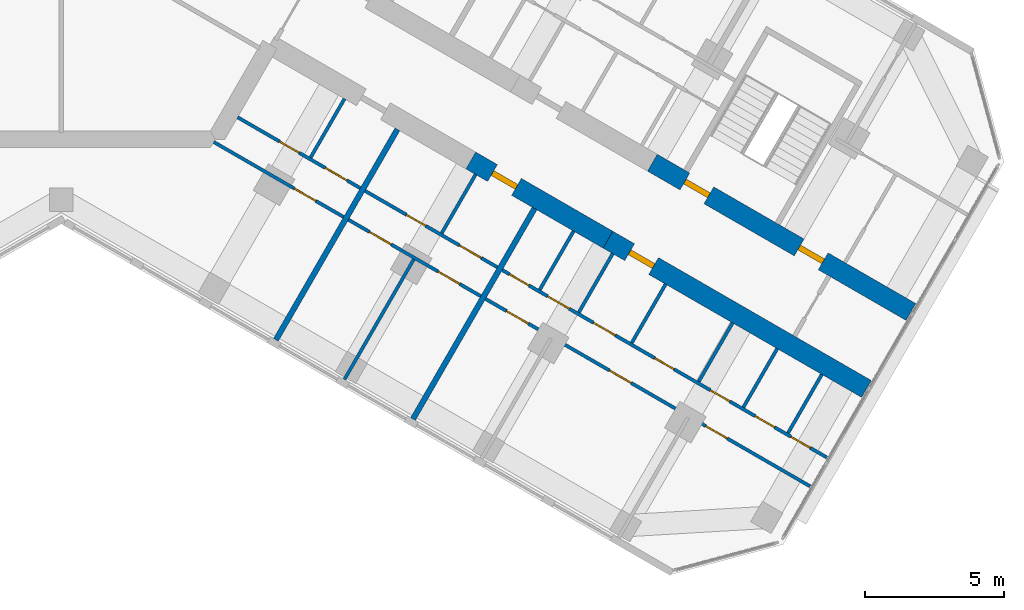
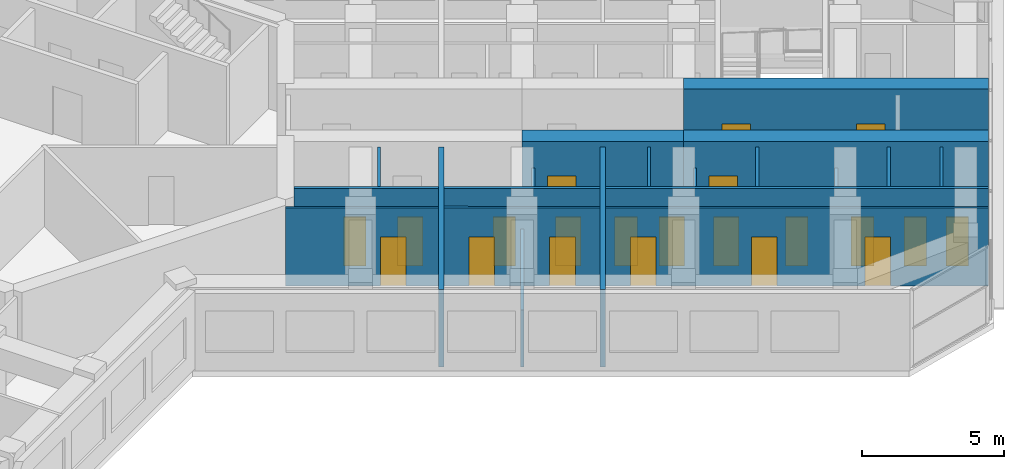
# One storey, part 11 of 16: 21 doors, 20 walls, 21 openings.
"""IFC4 building model written with IfcOpenShell, lengths in metres."""

from ifc_helpers import new_model, si_unit, direction, frame, frame_2d, origin, place, context, subcontext, project, spatial, rectangle, extrude, material, layer, layer_set, type_object, element, fill, save


model = new_model("IFC4")

# Units and contexts
model_context = context("Model", 3, precision=1e-05, world=origin(), true_north=direction((0.0, 1.0)))
body_context = subcontext(model_context, "Body", "Model", "MODEL_VIEW")
ifc_project = project(units=[si_unit("LENGTHUNIT", "METRE"), si_unit("AREAUNIT", "SQUARE_METRE"), si_unit("VOLUMEUNIT", "CUBIC_METRE"), si_unit("PLANEANGLEUNIT", "RADIAN"), si_unit("MASSUNIT", "GRAM", prefix="KILO")], contexts=[model_context])

# Site, building, storey
site_placement = place(None, origin())
site = spatial("IfcSite", under=ifc_project, at=site_placement, CompositionType="ELEMENT")
building_placement = place(site_placement, origin())
building = spatial("IfcBuilding", under=site, at=building_placement, Name="Kosmar Iwan School Tower", CompositionType="ELEMENT")
storey_placement = place(building_placement, frame((0.0, 0.0, 253.199951171875)))
storey = spatial("IfcBuildingStorey", under=building, at=storey_placement, Name="L64", CompositionType="ELEMENT", Elevation=253.199951171875)

# Wall, openings, doors
ifc_material_1 = material(Name="Concrete C50/60", Category="concrete")
ifc_layer_1 = layer(ifc_material_1, 0.699951171875)
ifc_layer_set_1 = layer_set([ifc_layer_1], Name="Corridor buttress wall 700")
wall_type_1 = type_object("IfcWallType", Name="Corridor buttress wall 700", PredefinedType="SHEAR", material=ifc_layer_set_1)
wall_1_placement = place(storey_placement, frame((21.281494140625, -10.439453125, 0.0), z_axis=(0.0, 0.0, 1.0), x_axis=(0.866032345022, -0.499987977232, 0.0)))
wall_1 = element("IfcWall", 1, at=wall_1_placement, inside=storey, type_object=wall_type_1, Name="Corridor wall CL bay 3", PredefinedType="SHEAR", context=body_context, shape_type="SweptSolid", body=[
    extrude(rectangle(XDim=10.744873046875, YDim=0.699951171875, at=frame_2d((5.37255859375, 0.0))), origin(), (0.0, 0.0, 1.0), 3.60009765625),
])
opening_1_placement = place(wall_1_placement, frame((6.10009765625, 0.0, 0.0)))
opening_1 = element("IfcOpeningElement", 2, at=opening_1_placement, cuts=wall_1, Name="Opening D1", PredefinedType="OPENING", context=body_context, shape_type="SweptSolid", body=[
    extrude(rectangle(XDim=1.0, YDim=2.10009765625, at=frame_2d((0.5, 1.050048828125))), frame((0.0, 0.362060546875, 0.0), z_axis=(0.0, -1.0, 0.0), x_axis=(1.0, 0.0, 0.0)), (0.0, 0.0, 1.0), 0.723876953125),
])
opening_2_placement = place(wall_1_placement, frame((1.35009765625, 0.0, 0.0)))
opening_2 = element("IfcOpeningElement", 3, at=opening_2_placement, cuts=wall_1, Name="Opening D6", PredefinedType="OPENING", context=body_context, shape_type="SweptSolid", body=[
    extrude(rectangle(XDim=1.0, YDim=2.10009765625, at=frame_2d((0.5, 1.050048828125))), frame((0.0, 0.362060546875, 0.0), z_axis=(0.0, -1.0, 0.0), x_axis=(1.0, 0.0, 0.0)), (0.0, 0.0, 1.0), 0.723876953125),
])
ifc_material_2 = material(Name="Timber fire door in steel frame", Category="steel")
door_type_1 = type_object("IfcDoorType", Name="Flat entrance door 1000x2100", OperationType="SINGLE_SWING_LEFT", PredefinedType="DOOR", material=ifc_material_2)
door_1_placement = place(opening_1_placement, origin())
door_1 = element("IfcDoor", 4, at=door_1_placement, inside=storey, type_object=door_type_1, Name="Flat L64-CL3 entrance door", OperationType="SINGLE_SWING_RIGHT", OverallHeight=2.10009765625, OverallWidth=1.0, PredefinedType="DOOR", context=body_context, shape_type="SweptSolid", body=[
    extrude(rectangle(XDim=1.0, YDim=2.10009765625, at=frame_2d((0.5, 1.050048828125))), frame((0.0, 0.10009765625, 0.0), z_axis=(0.0, -1.0, 0.0), x_axis=(1.0, 0.0, 0.0)), (0.0, 0.0, 1.0), 0.199951171875),
])
fill(opening_1, door_1)
ifc_material_3 = material(Name="Steel fire door", Category="steel")
door_type_2 = type_object("IfcDoorType", Name="Stair door 1000x2100", OperationType="SINGLE_SWING_LEFT", PredefinedType="DOOR", material=ifc_material_3)
door_2_placement = place(opening_2_placement, origin())
door_2 = element("IfcDoor", 5, at=door_2_placement, inside=storey, type_object=door_type_2, Name="Stair WS3 door L64", OperationType="SINGLE_SWING_LEFT", OverallHeight=2.10009765625, OverallWidth=1.0, PredefinedType="DOOR", context=body_context, shape_type="SweptSolid", body=[
    extrude(rectangle(XDim=1.0, YDim=2.10009765625, at=frame_2d((0.5, 1.050048828125))), frame((0.0, 0.10009765625, 0.0), z_axis=(0.0, -1.0, 0.0), x_axis=(1.0, 0.0, 0.0)), (0.0, 0.0, 1.0), 0.199951171875),
])
fill(opening_2, door_2)

# Wall, opening, door
wall_2_placement = place(storey_placement, frame((14.7451171875, -10.360595703125, 0.0), z_axis=(0.0, 0.0, 1.0), x_axis=(0.866015111908, -0.50001782563, 0.0)))
wall_2 = element("IfcWall", 6, at=wall_2_placement, inside=storey, type_object=wall_type_1, Name="Corridor wall CR bay 2", PredefinedType="SHEAR", context=body_context, shape_type="SweptSolid", body=[
    extrude(rectangle(XDim=5.699951171875, YDim=0.699951171875, at=frame_2d((2.85009765625, 0.0))), origin(), (0.0, 0.0, 1.0), 3.60009765625),
])
opening_3_placement = place(wall_2_placement, frame((0.89990234375, 0.0, 0.0)))
opening_3 = element("IfcOpeningElement", 7, at=opening_3_placement, cuts=wall_2, Name="Opening D1", PredefinedType="OPENING", context=body_context, shape_type="SweptSolid", body=[
    extrude(rectangle(XDim=1.0, YDim=2.10009765625, at=frame_2d((0.5, 1.050048828125))), frame((0.0, 0.362060546875, 0.0), z_axis=(0.0, -1.0, 0.0), x_axis=(1.0, 0.0, 0.0)), (0.0, 0.0, 1.0), 0.723876953125),
])
door_3_placement = place(opening_3_placement, origin())
door_3 = element("IfcDoor", 8, at=door_3_placement, inside=storey, type_object=door_type_1, Name="Flat L64-CR2 entrance door", OperationType="SINGLE_SWING_LEFT", OverallHeight=2.10009765625, OverallWidth=1.0, PredefinedType="DOOR", context=body_context, shape_type="SweptSolid", body=[
    extrude(rectangle(XDim=1.0, YDim=2.10009765625, at=frame_2d((0.5, 1.050048828125))), frame((0.0, 0.10009765625, 0.0), z_axis=(0.0, -1.0, 0.0), x_axis=(1.0, 0.0, 0.0)), (0.0, 0.0, 1.0), 0.199951171875),
])
fill(opening_3, door_3)

wall_3_placement = place(storey_placement, frame((19.681396484375, -13.210693359375, 0.0), z_axis=(0.0, 0.0, 1.0), x_axis=(0.866028186671, -0.499995179869, 0.0)))
wall_3 = element("IfcWall", 9, at=wall_3_placement, inside=storey, type_object=wall_type_1, Name="Corridor wall CR bay 3", PredefinedType="SHEAR", context=body_context, shape_type="SweptSolid", body=[
    extrude(rectangle(XDim=10.7451171875, YDim=0.699951171875, at=frame_2d((5.37255859375, 0.0))), origin(), (0.0, 0.0, 1.0), 3.60009765625),
])
opening_4_placement = place(wall_3_placement, frame((0.89990234375, 0.0, 0.0)))
opening_4 = element("IfcOpeningElement", 10, at=opening_4_placement, cuts=wall_3, Name="Opening D1", PredefinedType="OPENING", context=body_context, shape_type="SweptSolid", body=[
    extrude(rectangle(XDim=1.0, YDim=2.10009765625, at=frame_2d((0.5, 1.050048828125))), frame((0.0, 0.362060546875, 0.0), z_axis=(0.0, -1.0, 0.0), x_axis=(1.0, 0.0, 0.0)), (0.0, 0.0, 1.0), 0.723876953125),
])
door_4_placement = place(opening_4_placement, origin())
door_4 = element("IfcDoor", 11, at=door_4_placement, inside=storey, type_object=door_type_1, Name="Flat L64-CR3 entrance door", OperationType="SINGLE_SWING_LEFT", OverallHeight=2.10009765625, OverallWidth=1.0, PredefinedType="DOOR", context=body_context, shape_type="SweptSolid", body=[
    extrude(rectangle(XDim=1.0, YDim=2.10009765625, at=frame_2d((0.5, 1.050048828125))), frame((0.0, 0.10009765625, 0.0), z_axis=(0.0, -1.0, 0.0), x_axis=(1.0, 0.0, 0.0)), (0.0, 0.0, 1.0), 0.199951171875),
])
fill(opening_4, door_4)

# Wall, openings, doors
ifc_material_4 = material(Name="Gypsum board on steel studs", Category="steel")
ifc_layer_2 = layer(ifc_material_4, 0.1201171875)
ifc_layer_set_2 = layer_set([ifc_layer_2], Name="Dwelling partition 120")
wall_type_2 = type_object("IfcWallType", Name="Dwelling partition 120", PredefinedType="PARTITIONING", material=ifc_layer_set_2)
wall_4_placement = place(storey_placement, frame((6.3486328125, -8.8037109375, 0.0), z_axis=(0.0, 0.0, 1.0), x_axis=(0.86602216432, -0.500005610874, 0.0)))
wall_4 = element("IfcWall", 12, at=wall_4_placement, inside=storey, type_object=wall_type_2, Name="Partition L64-CR1-W1", PredefinedType="PARTITIONING", context=body_context, shape_type="SweptSolid", body=[
    extrude(rectangle(XDim=5.10009765625, YDim=0.1201171875, at=frame_2d((2.550048828125, 0.0))), origin(), (0.0, 0.0, 1.0), 3.35009765625),
])
opening_5_placement = place(wall_4_placement, frame((1.75, 0.0, 0.0)))
opening_5 = element("IfcOpeningElement", 13, at=opening_5_placement, cuts=wall_4, Name="Opening D3", PredefinedType="OPENING", context=body_context, shape_type="SweptSolid", body=[
    extrude(rectangle(XDim=0.800048828125, YDim=2.10009765625, at=frame_2d((0.39990234375, 1.050048828125))), frame((0.0, 0.072021484375, 0.0), z_axis=(0.0, -1.0, 0.0), x_axis=(1.0, 0.0, 0.0)), (0.0, 0.0, 1.0), 0.14404296875),
])
opening_6_placement = place(wall_4_placement, frame((3.64990234375, 0.0, 0.0)))
opening_6 = element("IfcOpeningElement", 14, at=opening_6_placement, cuts=wall_4, Name="Opening D2", PredefinedType="OPENING", context=body_context, shape_type="SweptSolid", body=[
    extrude(rectangle(XDim=0.89990234375, YDim=2.10009765625, at=frame_2d((0.449951171875, 1.050048828125))), frame((0.0, 0.072021484375, 0.0), z_axis=(0.0, -1.0, 0.0), x_axis=(1.0, 0.0, 0.0)), (0.0, 0.0, 1.0), 0.14404296875),
])
ifc_material_5 = material(Name="Timber door in timber frame", Category="wood")
door_type_3 = type_object("IfcDoorType", Name="Internal door 900x2100", OperationType="SINGLE_SWING_LEFT", PredefinedType="DOOR", material=ifc_material_5)
door_5_placement = place(opening_6_placement, origin())
door_5 = element("IfcDoor", 15, at=door_5_placement, inside=storey, type_object=door_type_3, Name="Entrance hall door L64-CR1-S2", OperationType="SINGLE_SWING_RIGHT", OverallHeight=2.10009765625, OverallWidth=0.89990234375, PredefinedType="DOOR", context=body_context, shape_type="SweptSolid", body=[
    extrude(rectangle(XDim=0.89990234375, YDim=2.10009765625, at=frame_2d((0.449951171875, 1.050048828125))), frame((0.0, 0.02490234375, 0.0), z_axis=(0.0, -1.0, 0.0), x_axis=(1.0, 0.0, 0.0)), (0.0, 0.0, 1.0), 0.050048828125),
])
fill(opening_6, door_5)
ifc_material_6 = material(Name="Timber door in timber frame", Category="wood")
door_type_4 = type_object("IfcDoorType", Name="Sanitary room door 800x2100", OperationType="SINGLE_SWING_LEFT", PredefinedType="DOOR", material=ifc_material_6)
door_6_placement = place(opening_5_placement, origin())
door_6 = element("IfcDoor", 16, at=door_6_placement, inside=storey, type_object=door_type_4, Name="Bathroom door L64-CR1-S1", OperationType="SINGLE_SWING_RIGHT", OverallHeight=2.10009765625, OverallWidth=0.800048828125, PredefinedType="DOOR", context=body_context, shape_type="SweptSolid", body=[
    extrude(rectangle(XDim=0.800048828125, YDim=2.10009765625, at=frame_2d((0.39990234375, 1.050048828125))), frame((0.0, 0.02490234375, 0.0), z_axis=(0.0, -1.0, 0.0), x_axis=(1.0, 0.0, 0.0)), (0.0, 0.0, 1.0), 0.050048828125),
])
fill(opening_5, door_6)

# Wall, opening, door
wall_5_placement = place(storey_placement, frame((5.48876953125, -9.693115234375, 0.0), z_axis=(0.0, 0.0, 1.0), x_axis=(0.866028230842, -0.499995103361, 0.0)))
wall_5 = element("IfcWall", 17, at=wall_5_placement, inside=storey, type_object=wall_type_2, Name="Partition L64-CR1-W2", PredefinedType="PARTITIONING", context=body_context, shape_type="SweptSolid", body=[
    extrude(rectangle(XDim=5.39990234375, YDim=0.1201171875, at=frame_2d((2.699951171875, 0.0))), origin(), (0.0, 0.0, 1.0), 3.35009765625),
])
opening_7_placement = place(wall_5_placement, frame((3.35009765625, 0.0, 0.0)))
opening_7 = element("IfcOpeningElement", 18, at=opening_7_placement, cuts=wall_5, Name="Opening D2", PredefinedType="OPENING", context=body_context, shape_type="SweptSolid", body=[
    extrude(rectangle(XDim=0.89990234375, YDim=2.10009765625, at=frame_2d((0.449951171875, 1.050048828125))), frame((0.0, 0.072021484375, 0.0), z_axis=(0.0, -1.0, 0.0), x_axis=(1.0, 0.0, 0.0)), (0.0, 0.0, 1.0), 0.14404296875),
])
door_7_placement = place(opening_7_placement, origin())
door_7 = element("IfcDoor", 19, at=door_7_placement, inside=storey, type_object=door_type_3, Name="Studio living room and kitchen door L64-CR1-F1", OperationType="SINGLE_SWING_RIGHT", OverallHeight=2.10009765625, OverallWidth=0.89990234375, PredefinedType="DOOR", context=body_context, shape_type="SweptSolid", body=[
    extrude(rectangle(XDim=0.89990234375, YDim=2.10009765625, at=frame_2d((0.449951171875, 1.050048828125))), frame((0.0, 0.02490234375, 0.0), z_axis=(0.0, -1.0, 0.0), x_axis=(1.0, 0.0, 0.0)), (0.0, 0.0, 1.0), 0.050048828125),
])
fill(opening_7, door_7)

# Wall
wall_6_placement = place(storey_placement, frame((10.19677734375, -8.138671875, 0.0), z_axis=(0.0, 0.0, 1.0), x_axis=(-0.499959183527, -0.866048967903, 0.0)))
element("IfcWall", 20, at=wall_6_placement, inside=storey, type_object=wall_type_2, Name="Partition L64-CR1-Y1", PredefinedType="PARTITIONING", context=body_context, shape_type="SweptSolid", body=[
    extrude(rectangle(XDim=2.440185546875, YDim=0.1201171875, at=frame_2d((1.22021484375, 0.0))), origin(), (0.0, 0.0, 1.0), 3.35009765625),
])

# Wall, openings, doors
wall_7_placement = place(storey_placement, frame((10.9384765625, -11.453857421875, 0.0), z_axis=(0.0, 0.0, 1.0), x_axis=(0.866027397988, -0.499996545922, 0.0)))
wall_7 = element("IfcWall", 21, at=wall_7_placement, inside=storey, type_object=wall_type_2, Name="Partition L64-CR2-W1", PredefinedType="PARTITIONING", context=body_context, shape_type="SweptSolid", body=[
    extrude(rectangle(XDim=5.5, YDim=0.1201171875, at=frame_2d((2.75, 0.0))), origin(), (0.0, 0.0, 1.0), 3.35009765625),
])
opening_8_placement = place(wall_7_placement, frame((1.72509765625, 0.0, 0.0)))
opening_8 = element("IfcOpeningElement", 22, at=opening_8_placement, cuts=wall_7, Name="Opening D3", PredefinedType="OPENING", context=body_context, shape_type="SweptSolid", body=[
    extrude(rectangle(XDim=0.800048828125, YDim=2.10009765625, at=frame_2d((0.39990234375, 1.050048828125))), frame((0.0, 0.072021484375, 0.0), z_axis=(0.0, -1.0, 0.0), x_axis=(1.0, 0.0, 0.0)), (0.0, 0.0, 1.0), 0.14404296875),
])
opening_9_placement = place(wall_7_placement, frame((3.925048828125, 0.0, 0.0)))
opening_9 = element("IfcOpeningElement", 23, at=opening_9_placement, cuts=wall_7, Name="Opening D2", PredefinedType="OPENING", context=body_context, shape_type="SweptSolid", body=[
    extrude(rectangle(XDim=0.89990234375, YDim=2.10009765625, at=frame_2d((0.449951171875, 1.050048828125))), frame((0.0, 0.072021484375, 0.0), z_axis=(0.0, -1.0, 0.0), x_axis=(1.0, 0.0, 0.0)), (0.0, 0.0, 1.0), 0.14404296875),
])
door_8_placement = place(opening_9_placement, origin())
door_8 = element("IfcDoor", 24, at=door_8_placement, inside=storey, type_object=door_type_3, Name="Entrance hall door L64-CR2-S2", OperationType="SINGLE_SWING_RIGHT", OverallHeight=2.10009765625, OverallWidth=0.89990234375, PredefinedType="DOOR", context=body_context, shape_type="SweptSolid", body=[
    extrude(rectangle(XDim=0.89990234375, YDim=2.10009765625, at=frame_2d((0.449951171875, 1.050048828125))), frame((0.0, 0.02490234375, 0.0), z_axis=(0.0, -1.0, 0.0), x_axis=(1.0, 0.0, 0.0)), (0.0, 0.0, 1.0), 0.050048828125),
])
fill(opening_9, door_8)
door_9_placement = place(opening_8_placement, origin())
door_9 = element("IfcDoor", 25, at=door_9_placement, inside=storey, type_object=door_type_4, Name="Bathroom door L64-CR2-S1", OperationType="SINGLE_SWING_RIGHT", OverallHeight=2.10009765625, OverallWidth=0.800048828125, PredefinedType="DOOR", context=body_context, shape_type="SweptSolid", body=[
    extrude(rectangle(XDim=0.800048828125, YDim=2.10009765625, at=frame_2d((0.39990234375, 1.050048828125))), frame((0.0, 0.02490234375, 0.0), z_axis=(0.0, -1.0, 0.0), x_axis=(1.0, 0.0, 0.0)), (0.0, 0.0, 1.0), 0.050048828125),
])
fill(opening_8, door_9)

wall_8_placement = place(storey_placement, frame((10.338623046875, -12.492919921875, 0.0), z_axis=(0.0, 0.0, 1.0), x_axis=(0.866008176907, -0.50002983664, 0.0)))
wall_8 = element("IfcWall", 26, at=wall_8_placement, inside=storey, type_object=wall_type_2, Name="Partition L64-CR2-W2", PredefinedType="PARTITIONING", context=body_context, shape_type="SweptSolid", body=[
    extrude(rectangle(XDim=5.500244140625, YDim=0.1201171875, at=frame_2d((2.75, 0.0))), origin(), (0.0, 0.0, 1.0), 3.35009765625),
])
opening_10_placement = place(wall_8_placement, frame((0.875, 0.0, 0.0)))
opening_10 = element("IfcOpeningElement", 27, at=opening_10_placement, cuts=wall_8, Name="Opening D2", PredefinedType="OPENING", context=body_context, shape_type="SweptSolid", body=[
    extrude(rectangle(XDim=0.89990234375, YDim=2.10009765625, at=frame_2d((0.449951171875, 1.050048828125))), frame((0.0, 0.072021484375, 0.0), z_axis=(0.0, -1.0, 0.0), x_axis=(1.0, 0.0, 0.0)), (0.0, 0.0, 1.0), 0.14404296875),
])
opening_11_placement = place(wall_8_placement, frame((3.72509765625, 0.0, 0.0)))
opening_11 = element("IfcOpeningElement", 28, at=opening_11_placement, cuts=wall_8, Name="Opening D2", PredefinedType="OPENING", context=body_context, shape_type="SweptSolid", body=[
    extrude(rectangle(XDim=0.89990234375, YDim=2.10009765625, at=frame_2d((0.449951171875, 1.050048828125))), frame((0.0, 0.072021484375, 0.0), z_axis=(0.0, -1.0, 0.0), x_axis=(1.0, 0.0, 0.0)), (0.0, 0.0, 1.0), 0.14404296875),
])
door_10_placement = place(opening_10_placement, origin())
door_10 = element("IfcDoor", 29, at=door_10_placement, inside=storey, type_object=door_type_3, Name="Living room and kitchen door L64-CR2-F1", OperationType="SINGLE_SWING_LEFT", OverallHeight=2.10009765625, OverallWidth=0.89990234375, PredefinedType="DOOR", context=body_context, shape_type="SweptSolid", body=[
    extrude(rectangle(XDim=0.89990234375, YDim=2.10009765625, at=frame_2d((0.449951171875, 1.050048828125))), frame((0.0, 0.02490234375, 0.0), z_axis=(0.0, -1.0, 0.0), x_axis=(1.0, 0.0, 0.0)), (0.0, 0.0, 1.0), 0.050048828125),
])
fill(opening_10, door_10)
door_11_placement = place(opening_11_placement, origin())
door_11 = element("IfcDoor", 30, at=door_11_placement, inside=storey, type_object=door_type_3, Name="Bedroom 1 door L64-CR2-F2", OperationType="SINGLE_SWING_RIGHT", OverallHeight=2.10009765625, OverallWidth=0.89990234375, PredefinedType="DOOR", context=body_context, shape_type="SweptSolid", body=[
    extrude(rectangle(XDim=0.89990234375, YDim=2.10009765625, at=frame_2d((0.449951171875, 1.050048828125))), frame((0.0, 0.02490234375, 0.0), z_axis=(0.0, -1.0, 0.0), x_axis=(1.0, 0.0, 0.0)), (0.0, 0.0, 1.0), 0.050048828125),
])
fill(opening_11, door_11)

# Walls
wall_9_placement = place(storey_placement, frame((12.690185546875, -13.919921875, 0.0), z_axis=(0.0, 0.0, 1.0), x_axis=(-0.500011847778, -0.866018563358, 0.0)))
element("IfcWall", 31, at=wall_9_placement, inside=storey, type_object=wall_type_2, Name="Partition L64-CR2-X1", PredefinedType="PARTITIONING", context=body_context, shape_type="SweptSolid", body=[
    extrude(rectangle(XDim=4.990234375, YDim=0.1201171875, at=frame_2d((2.4951171875, 0.0))), origin(), (0.0, 0.0, 1.0), 2.449951171875),
])
wall_10_placement = place(storey_placement, frame((14.91650390625, -10.86376953125, 0.0), z_axis=(0.0, 0.0, 1.0), x_axis=(-0.500002508028, -0.866023955769, 0.0)))
element("IfcWall", 32, at=wall_10_placement, inside=storey, type_object=wall_type_2, Name="Partition L64-CR2-Y1", PredefinedType="PARTITIONING", context=body_context, shape_type="SweptSolid", body=[
    extrude(rectangle(XDim=2.43994140625, YDim=0.1201171875, at=frame_2d((1.219970703125, 0.0))), origin(), (0.0, 0.0, 1.0), 2.449951171875),
])

# Wall, openings, doors
wall_11_placement = place(storey_placement, frame((15.875, -14.3037109375, 0.0), z_axis=(0.0, 0.0, 1.0), x_axis=(0.866023503214, -0.50000329187, 0.0)))
wall_11 = element("IfcWall", 33, at=wall_11_placement, inside=storey, type_object=wall_type_2, Name="Partition L64-CR3-W1", PredefinedType="PARTITIONING", context=body_context, shape_type="SweptSolid", body=[
    extrude(rectangle(XDim=13.4951171875, YDim=0.1201171875, at=frame_2d((6.74755859375, 0.0))), origin(), (0.0, 0.0, 1.0), 3.35009765625),
])
opening_12_placement = place(wall_11_placement, frame((0.3125, 0.0, 0.0)))
opening_12 = element("IfcOpeningElement", 34, at=opening_12_placement, cuts=wall_11, Name="Opening D3", PredefinedType="OPENING", context=body_context, shape_type="SweptSolid", body=[
    extrude(rectangle(XDim=0.800048828125, YDim=2.10009765625, at=frame_2d((0.39990234375, 1.050048828125))), frame((0.0, 0.072021484375, 0.0), z_axis=(0.0, -1.0, 0.0), x_axis=(1.0, 0.0, 0.0)), (0.0, 0.0, 1.0), 0.14404296875),
])
opening_13_placement = place(wall_11_placement, frame((1.887451171875, 0.0, 0.0)))
opening_13 = element("IfcOpeningElement", 35, at=opening_13_placement, cuts=wall_11, Name="Opening D2", PredefinedType="OPENING", context=body_context, shape_type="SweptSolid", body=[
    extrude(rectangle(XDim=0.89990234375, YDim=2.10009765625, at=frame_2d((0.449951171875, 1.050048828125))), frame((0.0, 0.072021484375, 0.0), z_axis=(0.0, -1.0, 0.0), x_axis=(1.0, 0.0, 0.0)), (0.0, 0.0, 1.0), 0.14404296875),
])
opening_14_placement = place(wall_11_placement, frame((3.800048828125, 0.0, 0.0)))
opening_14 = element("IfcOpeningElement", 36, at=opening_14_placement, cuts=wall_11, Name="Opening D2", PredefinedType="OPENING", context=body_context, shape_type="SweptSolid", body=[
    extrude(rectangle(XDim=0.89990234375, YDim=2.10009765625, at=frame_2d((0.449951171875, 1.050048828125))), frame((0.0, 0.072021484375, 0.0), z_axis=(0.0, -1.0, 0.0), x_axis=(1.0, 0.0, 0.0)), (0.0, 0.0, 1.0), 0.14404296875),
])
opening_15_placement = place(wall_11_placement, frame((6.341796875, 0.0, 0.0)))
opening_15 = element("IfcOpeningElement", 37, at=opening_15_placement, cuts=wall_11, Name="Opening D3", PredefinedType="OPENING", context=body_context, shape_type="SweptSolid", body=[
    extrude(rectangle(XDim=0.800048828125, YDim=2.10009765625, at=frame_2d((0.39990234375, 1.050048828125))), frame((0.0, 0.072021484375, 0.0), z_axis=(0.0, -1.0, 0.0), x_axis=(1.0, 0.0, 0.0)), (0.0, 0.0, 1.0), 0.14404296875),
])
opening_16_placement = place(wall_11_placement, frame((8.6611328125, 0.0, 0.0)))
opening_16 = element("IfcOpeningElement", 38, at=opening_16_placement, cuts=wall_11, Name="Opening D3", PredefinedType="OPENING", context=body_context, shape_type="SweptSolid", body=[
    extrude(rectangle(XDim=0.800048828125, YDim=2.10009765625, at=frame_2d((0.39990234375, 1.050048828125))), frame((0.0, 0.072021484375, 0.0), z_axis=(0.0, -1.0, 0.0), x_axis=(1.0, 0.0, 0.0)), (0.0, 0.0, 1.0), 0.14404296875),
])
opening_17_placement = place(wall_11_placement, frame((10.5166015625, 0.0, 0.0)))
opening_17 = element("IfcOpeningElement", 39, at=opening_17_placement, cuts=wall_11, Name="Opening D3", PredefinedType="OPENING", context=body_context, shape_type="SweptSolid", body=[
    extrude(rectangle(XDim=0.800048828125, YDim=2.10009765625, at=frame_2d((0.39990234375, 1.050048828125))), frame((0.0, 0.072021484375, 0.0), z_axis=(0.0, -1.0, 0.0), x_axis=(1.0, 0.0, 0.0)), (0.0, 0.0, 1.0), 0.14404296875),
])
opening_18_placement = place(wall_11_placement, frame((12.00439453125, 0.0, 0.0)))
opening_18 = element("IfcOpeningElement", 40, at=opening_18_placement, cuts=wall_11, Name="Opening D3", PredefinedType="OPENING", context=body_context, shape_type="SweptSolid", body=[
    extrude(rectangle(XDim=0.800048828125, YDim=2.10009765625, at=frame_2d((0.39990234375, 1.050048828125))), frame((0.0, 0.072021484375, 0.0), z_axis=(0.0, -1.0, 0.0), x_axis=(1.0, 0.0, 0.0)), (0.0, 0.0, 1.0), 0.14404296875),
])
door_12_placement = place(opening_13_placement, origin())
door_12 = element("IfcDoor", 41, at=door_12_placement, inside=storey, type_object=door_type_3, Name="Pantry door L64-CR3-S2", OperationType="SINGLE_SWING_LEFT", OverallHeight=2.10009765625, OverallWidth=0.89990234375, PredefinedType="DOOR", context=body_context, shape_type="SweptSolid", body=[
    extrude(rectangle(XDim=0.89990234375, YDim=2.10009765625, at=frame_2d((0.449951171875, 1.050048828125))), frame((0.0, 0.02490234375, 0.0), z_axis=(0.0, -1.0, 0.0), x_axis=(1.0, 0.0, 0.0)), (0.0, 0.0, 1.0), 0.050048828125),
])
fill(opening_13, door_12)
door_13_placement = place(opening_14_placement, origin())
door_13 = element("IfcDoor", 42, at=door_13_placement, inside=storey, type_object=door_type_3, Name="Entrance hall door L64-CR3-S3", OperationType="SINGLE_SWING_RIGHT", OverallHeight=2.10009765625, OverallWidth=0.89990234375, PredefinedType="DOOR", context=body_context, shape_type="SweptSolid", body=[
    extrude(rectangle(XDim=0.89990234375, YDim=2.10009765625, at=frame_2d((0.449951171875, 1.050048828125))), frame((0.0, 0.02490234375, 0.0), z_axis=(0.0, -1.0, 0.0), x_axis=(1.0, 0.0, 0.0)), (0.0, 0.0, 1.0), 0.050048828125),
])
fill(opening_14, door_13)
door_14_placement = place(opening_12_placement, origin())
door_14 = element("IfcDoor", 43, at=door_14_placement, inside=storey, type_object=door_type_4, Name="Store door L64-CR3-S1", OperationType="SINGLE_SWING_RIGHT", OverallHeight=2.10009765625, OverallWidth=0.800048828125, PredefinedType="DOOR", context=body_context, shape_type="SweptSolid", body=[
    extrude(rectangle(XDim=0.800048828125, YDim=2.10009765625, at=frame_2d((0.39990234375, 1.050048828125))), frame((0.0, 0.02490234375, 0.0), z_axis=(0.0, -1.0, 0.0), x_axis=(1.0, 0.0, 0.0)), (0.0, 0.0, 1.0), 0.050048828125),
])
fill(opening_12, door_14)
door_15_placement = place(opening_15_placement, origin())
door_15 = element("IfcDoor", 44, at=door_15_placement, inside=storey, type_object=door_type_4, Name="Bathroom door L64-CR3-S4", OperationType="SINGLE_SWING_LEFT", OverallHeight=2.10009765625, OverallWidth=0.800048828125, PredefinedType="DOOR", context=body_context, shape_type="SweptSolid", body=[
    extrude(rectangle(XDim=0.800048828125, YDim=2.10009765625, at=frame_2d((0.39990234375, 1.050048828125))), frame((0.0, 0.02490234375, 0.0), z_axis=(0.0, -1.0, 0.0), x_axis=(1.0, 0.0, 0.0)), (0.0, 0.0, 1.0), 0.050048828125),
])
fill(opening_15, door_15)
door_16_placement = place(opening_16_placement, origin())
door_16 = element("IfcDoor", 45, at=door_16_placement, inside=storey, type_object=door_type_4, Name="Grandparents' shower room door L64-CR3-S5", OperationType="SINGLE_SWING_RIGHT", OverallHeight=2.10009765625, OverallWidth=0.800048828125, PredefinedType="DOOR", context=body_context, shape_type="SweptSolid", body=[
    extrude(rectangle(XDim=0.800048828125, YDim=2.10009765625, at=frame_2d((0.39990234375, 1.050048828125))), frame((0.0, 0.02490234375, 0.0), z_axis=(0.0, -1.0, 0.0), x_axis=(1.0, 0.0, 0.0)), (0.0, 0.0, 1.0), 0.050048828125),
])
fill(opening_16, door_16)
door_17_placement = place(opening_17_placement, origin())
door_17 = element("IfcDoor", 46, at=door_17_placement, inside=storey, type_object=door_type_4, Name="Shower room door L64-CR3-S6", OperationType="SINGLE_SWING_LEFT", OverallHeight=2.10009765625, OverallWidth=0.800048828125, PredefinedType="DOOR", context=body_context, shape_type="SweptSolid", body=[
    extrude(rectangle(XDim=0.800048828125, YDim=2.10009765625, at=frame_2d((0.39990234375, 1.050048828125))), frame((0.0, 0.02490234375, 0.0), z_axis=(0.0, -1.0, 0.0), x_axis=(1.0, 0.0, 0.0)), (0.0, 0.0, 1.0), 0.050048828125),
])
fill(opening_17, door_17)
door_18_placement = place(opening_18_placement, origin())
door_18 = element("IfcDoor", 47, at=door_18_placement, inside=storey, type_object=door_type_4, Name="WC door L64-CR3-S7", OperationType="SINGLE_SWING_LEFT", OverallHeight=2.10009765625, OverallWidth=0.800048828125, PredefinedType="DOOR", context=body_context, shape_type="SweptSolid", body=[
    extrude(rectangle(XDim=0.800048828125, YDim=2.10009765625, at=frame_2d((0.39990234375, 1.050048828125))), frame((0.0, 0.02490234375, 0.0), z_axis=(0.0, -1.0, 0.0), x_axis=(1.0, 0.0, 0.0)), (0.0, 0.0, 1.0), 0.050048828125),
])
fill(opening_18, door_18)

wall_12_placement = place(storey_placement, frame((15.27490234375, -15.343017578125, 0.0), z_axis=(0.0, 0.0, 1.0), x_axis=(0.866023503214, -0.50000329187, 0.0)))
wall_12 = element("IfcWall", 48, at=wall_12_placement, inside=storey, type_object=wall_type_2, Name="Partition L64-CR3-W2", PredefinedType="PARTITIONING", context=body_context, shape_type="SweptSolid", body=[
    extrude(rectangle(XDim=13.4951171875, YDim=0.1201171875, at=frame_2d((6.74755859375, 0.0))), origin(), (0.0, 0.0, 1.0), 3.35009765625),
])
opening_19_placement = place(wall_12_placement, frame((0.875, 0.0, 0.0)))
opening_19 = element("IfcOpeningElement", 49, at=opening_19_placement, cuts=wall_12, Name="Opening D2", PredefinedType="OPENING", context=body_context, shape_type="SweptSolid", body=[
    extrude(rectangle(XDim=0.89990234375, YDim=2.10009765625, at=frame_2d((0.449951171875, 1.050048828125))), frame((0.0, 0.072021484375, 0.0), z_axis=(0.0, -1.0, 0.0), x_axis=(1.0, 0.0, 0.0)), (0.0, 0.0, 1.0), 0.14404296875),
])
opening_20_placement = place(wall_12_placement, frame((5.14990234375, 0.0, 0.0)))
opening_20 = element("IfcOpeningElement", 50, at=opening_20_placement, cuts=wall_12, Name="Opening D2", PredefinedType="OPENING", context=body_context, shape_type="SweptSolid", body=[
    extrude(rectangle(XDim=0.89990234375, YDim=2.10009765625, at=frame_2d((0.449951171875, 1.050048828125))), frame((0.0, 0.072021484375, 0.0), z_axis=(0.0, -1.0, 0.0), x_axis=(1.0, 0.0, 0.0)), (0.0, 0.0, 1.0), 0.14404296875),
])
opening_21_placement = place(wall_12_placement, frame((9.14990234375, 0.0, 0.0)))
opening_21 = element("IfcOpeningElement", 51, at=opening_21_placement, cuts=wall_12, Name="Opening D2", PredefinedType="OPENING", context=body_context, shape_type="SweptSolid", body=[
    extrude(rectangle(XDim=0.89990234375, YDim=2.10009765625, at=frame_2d((0.449951171875, 1.050048828125))), frame((0.0, 0.072021484375, 0.0), z_axis=(0.0, -1.0, 0.0), x_axis=(1.0, 0.0, 0.0)), (0.0, 0.0, 1.0), 0.14404296875),
])
door_19_placement = place(opening_19_placement, origin())
door_19 = element("IfcDoor", 52, at=door_19_placement, inside=storey, type_object=door_type_3, Name="Bedroom 1 door L64-CR3-F1", OperationType="SINGLE_SWING_LEFT", OverallHeight=2.10009765625, OverallWidth=0.89990234375, PredefinedType="DOOR", context=body_context, shape_type="SweptSolid", body=[
    extrude(rectangle(XDim=0.89990234375, YDim=2.10009765625, at=frame_2d((0.449951171875, 1.050048828125))), frame((0.0, 0.02490234375, 0.0), z_axis=(0.0, -1.0, 0.0), x_axis=(1.0, 0.0, 0.0)), (0.0, 0.0, 1.0), 0.050048828125),
])
fill(opening_19, door_19)
door_20_placement = place(opening_20_placement, origin())
door_20 = element("IfcDoor", 53, at=door_20_placement, inside=storey, type_object=door_type_3, Name="Living room and kitchen door L64-CR3-F2", OperationType="SINGLE_SWING_LEFT", OverallHeight=2.10009765625, OverallWidth=0.89990234375, PredefinedType="DOOR", context=body_context, shape_type="SweptSolid", body=[
    extrude(rectangle(XDim=0.89990234375, YDim=2.10009765625, at=frame_2d((0.449951171875, 1.050048828125))), frame((0.0, 0.02490234375, 0.0), z_axis=(0.0, -1.0, 0.0), x_axis=(1.0, 0.0, 0.0)), (0.0, 0.0, 1.0), 0.050048828125),
])
fill(opening_20, door_20)
door_21_placement = place(opening_21_placement, origin())
door_21 = element("IfcDoor", 54, at=door_21_placement, inside=storey, type_object=door_type_3, Name="Grandparents' suite door L64-CR3-F3", OperationType="SINGLE_SWING_RIGHT", OverallHeight=2.10009765625, OverallWidth=0.89990234375, PredefinedType="DOOR", context=body_context, shape_type="SweptSolid", body=[
    extrude(rectangle(XDim=0.89990234375, YDim=2.10009765625, at=frame_2d((0.449951171875, 1.050048828125))), frame((0.0, 0.02490234375, 0.0), z_axis=(0.0, -1.0, 0.0), x_axis=(1.0, 0.0, 0.0)), (0.0, 0.0, 1.0), 0.050048828125),
])
fill(opening_21, door_21)

# Walls
wall_13_placement = place(storey_placement, frame((18.445556640625, -12.901123046875, 0.0), z_axis=(0.0, 0.0, 1.0), x_axis=(-0.499959183527, -0.866048967903, 0.0)))
element("IfcWall", 55, at=wall_13_placement, inside=storey, type_object=wall_type_2, Name="Partition L64-CR3-Y1", PredefinedType="PARTITIONING", context=body_context, shape_type="SweptSolid", body=[
    extrude(rectangle(XDim=2.440185546875, YDim=0.1201171875, at=frame_2d((1.22021484375, 0.0))), origin(), (0.0, 0.0, 1.0), 3.35009765625),
])
wall_14_placement = place(storey_placement, frame((19.85302734375, -13.713623046875, 0.0), z_axis=(0.0, 0.0, 1.0), x_axis=(-0.500034220881, -0.866005645448, 0.0)))
element("IfcWall", 56, at=wall_14_placement, inside=storey, type_object=wall_type_2, Name="Partition L64-CR3-Y2", PredefinedType="PARTITIONING", context=body_context, shape_type="SweptSolid", body=[
    extrude(rectangle(XDim=2.440185546875, YDim=0.1201171875, at=frame_2d((1.22021484375, 0.0))), origin(), (0.0, 0.0, 1.0), 2.449951171875),
])
wall_15_placement = place(storey_placement, frame((21.758056640625, -14.813720703125, 0.0), z_axis=(0.0, 0.0, 1.0), x_axis=(-0.500002508028, -0.866023955769, 0.0)))
element("IfcWall", 57, at=wall_15_placement, inside=storey, type_object=wall_type_2, Name="Partition L64-CR3-Y3", PredefinedType="PARTITIONING", context=body_context, shape_type="SweptSolid", body=[
    extrude(rectangle(XDim=2.43994140625, YDim=0.1201171875, at=frame_2d((1.219970703125, 0.0))), origin(), (0.0, 0.0, 1.0), 3.35009765625),
])
wall_16_placement = place(storey_placement, frame((24.168701171875, -16.205322265625, 0.0), z_axis=(0.0, 0.0, 1.0), x_axis=(-0.500034220881, -0.866005645448, 0.0)))
element("IfcWall", 58, at=wall_16_placement, inside=storey, type_object=wall_type_2, Name="Partition L64-CR3-Y4", PredefinedType="PARTITIONING", context=body_context, shape_type="SweptSolid", body=[
    extrude(rectangle(XDim=2.440185546875, YDim=0.1201171875, at=frame_2d((1.22021484375, 0.0))), origin(), (0.0, 0.0, 1.0), 2.449951171875),
])
for number, where, z_axis, x_axis, name in (
    (59, (25.775634765625, -17.13330078125, 0.0), (0.0, 0.0, 1.0), (-0.500002508028, -0.866023955769, 0.0), "Partition L64-CR3-Y5"),
    (60, (27.382568359375, -18.06103515625, 0.0), (0.0, 0.0, 1.0), (-0.500002508028, -0.866023955769, 0.0), "Partition L64-CR3-Y6"),
):
    element("IfcWall", number, at=place(storey_placement, frame(where, z_axis=z_axis, x_axis=x_axis)), inside=storey, type_object=wall_type_2, Name=name, PredefinedType="PARTITIONING", context=body_context, shape_type="SweptSolid", body=[
        extrude(rectangle(XDim=2.43994140625, YDim=0.1201171875, at=frame_2d((1.219970703125, 0.0))), origin(), (0.0, 0.0, 1.0), 3.35009765625),
    ])
ifc_material_7 = material(Name="Concrete block masonry", Category="masonry")
ifc_layer_3 = layer(ifc_material_7, 0.199951171875)
ifc_layer_set_3 = layer_set([ifc_layer_3], Name="Party wall 200")
wall_type_3 = type_object("IfcWallType", Name="Party wall 200", PredefinedType="PARTITIONING", material=ifc_layer_set_3)
wall_17_placement = place(storey_placement, frame((12.10205078125, -9.23876953125, 0.0), z_axis=(0.0, 0.0, 1.0), x_axis=(-0.500004234368, -0.866022959057, 0.0)))
element("IfcWall", 61, at=wall_17_placement, inside=storey, type_object=wall_type_3, Name="Partition L64-CR2-PW", PredefinedType="PARTITIONING", context=body_context, shape_type="SweptSolid", body=[
    extrude(rectangle(XDim=8.75, YDim=0.199951171875, at=frame_2d((4.375, 0.0))), origin(), (0.0, 0.0, 1.0), 3.35009765625),
])
wall_18_placement = place(storey_placement, frame((17.038330078125, -12.088623046875, 0.0), z_axis=(0.0, 0.0, 1.0), x_axis=(-0.499992152613, -0.866029934428, 0.0)))
element("IfcWall", 62, at=wall_18_placement, inside=storey, type_object=wall_type_3, Name="Partition L64-CR3-PW", PredefinedType="PARTITIONING", context=body_context, shape_type="SweptSolid", body=[
    extrude(rectangle(XDim=8.750244140625, YDim=0.199951171875, at=frame_2d((4.375, 0.0))), origin(), (0.0, 0.0, 1.0), 3.35009765625),
])

save(model, "model.ifc")
